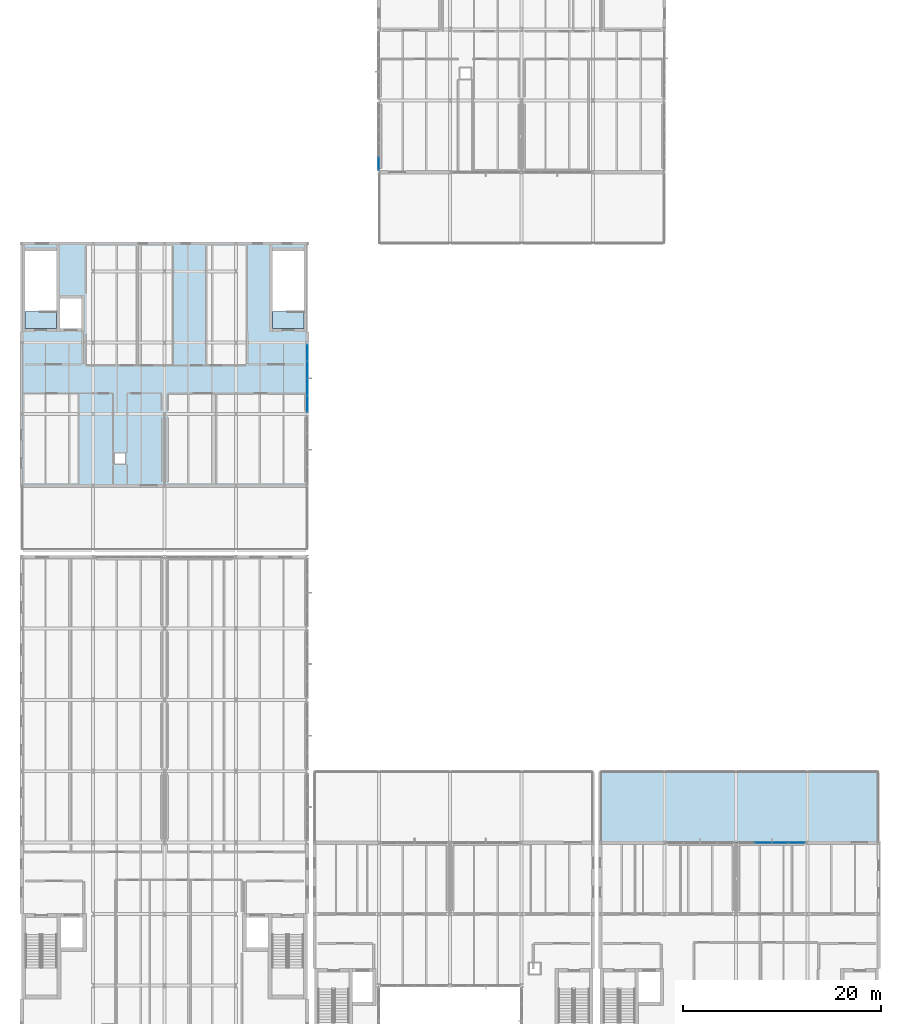
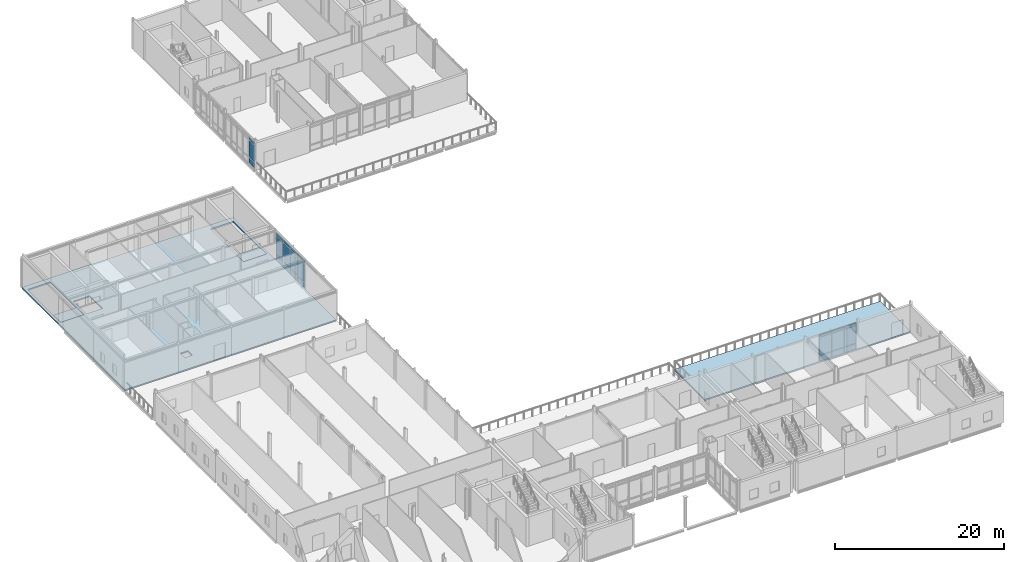
# One storey, part 26 of 53: 24 plates, 4 slabs, 3 elements without a shape of their own.
"""IFC4 building model written with IfcOpenShell, lengths in metres."""

from ifc_helpers import new_model, si_unit, direction, frame, origin, origin_2d, place, context, subcontext, project, spatial, polyline, rectangle, outline, extrude, material, layer, layer_set, type_object, element, aggregate, save


model = new_model("IFC4")

# Units and contexts
model_context = context("Model", 3, precision=1e-05, world=origin(), true_north=direction((0.0, 1.0)))
body_context = subcontext(model_context, "Body", "Model", "MODEL_VIEW")
ifc_project = project(units=[si_unit("LENGTHUNIT", "METRE"), si_unit("AREAUNIT", "SQUARE_METRE"), si_unit("VOLUMEUNIT", "CUBIC_METRE"), si_unit("PLANEANGLEUNIT", "RADIAN"), si_unit("MASSUNIT", "GRAM", prefix="KILO")], contexts=[model_context])

# Site, building, storey
site_placement = place(None, origin())
site = spatial("IfcSite", under=ifc_project, at=site_placement, CompositionType="ELEMENT")
building_placement = place(site_placement, origin())
building = spatial("IfcBuilding", under=site, at=building_placement, Name="Zarrinpeak Specialist Clinic", CompositionType="ELEMENT")
storey_placement = place(building_placement, frame((0.0, 0.0, 14.0)))
storey = spatial("IfcBuildingStorey", under=building, at=storey_placement, Name="L03", CompositionType="ELEMENT", Elevation=14.0)

# Curtain wall, plates
ifc_material_1 = material(Name="Anodised Aluminium Alloy 6063-T6", Category="aluminium")
ifc_layer_1 = layer(ifc_material_1, 0.1650390625)
ifc_layer_set_1 = layer_set([ifc_layer_1], Name="Anodised Aluminium Alloy 6063-T6")
curtain_wall_type_1 = type_object("IfcCurtainWallType", Name="CW-CLINIC", PredefinedType="NOTDEFINED", material=ifc_layer_set_1)
curtain_wall_1_placement = place(storey_placement, origin())
curtain_wall_1 = element("IfcCurtainWall", 1, at=curtain_wall_1_placement, inside=storey, type_object=curtain_wall_type_1, Name="L03 V6 Unitised Curtain Wall CW-L03-V6-149", PredefinedType="NOTDEFINED")
ifc_material_2 = material(Name="Double Low-E Insulated Glazing", Category="glass")
ifc_layer_2 = layer(ifc_material_2, 0.028076171875)
ifc_layer_set_2 = layer_set([ifc_layer_2], Name="Double Low-E Insulated Glazing")
plate_type_1 = type_object("IfcPlateType", Name="CWP-GLZ28", PredefinedType="CURTAIN_PANEL", material=ifc_layer_set_2)
plate_1_placement = place(storey_placement, frame((36.0, 90.084716796875, 0.074951171875), z_axis=(0.0, 0.0, 1.0), x_axis=(0.0, -1.0, 0.0)))
plate_1 = element("IfcPlate", 2, at=plate_1_placement, type_object=plate_type_1, Name="CW-03 panel 5.1", PredefinedType="CURTAIN_PANEL", context=body_context, shape_type="SweptSolid", body=[
    extrude(rectangle(XDim=1.24951171875, YDim=0.028076171875, at=origin_2d()), origin(), (0.0, 0.0, 1.0), 0.78759765625),
])
plate_2_placement = place(storey_placement, frame((36.0, 90.084716796875, 0.9375), z_axis=(0.0, 0.0, 1.0), x_axis=(0.0, -1.0, 0.0)))
plate_2 = element("IfcPlate", 3, at=plate_2_placement, type_object=plate_type_1, Name="CW-03 panel 5.2", PredefinedType="CURTAIN_PANEL", context=body_context, shape_type="SweptSolid", body=[
    extrude(rectangle(XDim=1.24951171875, YDim=0.028076171875, at=origin_2d()), origin(), (0.0, 0.0, 1.0), 2.4599609375),
])
plate_3_placement = place(storey_placement, frame((36.0, 90.084716796875, 3.47265625), z_axis=(0.0, 0.0, 1.0), x_axis=(0.0, -1.0, 0.0)))
plate_3 = element("IfcPlate", 4, at=plate_3_placement, type_object=plate_type_1, Name="CW-03 panel 5.3", PredefinedType="CURTAIN_PANEL", context=body_context, shape_type="SweptSolid", body=[
    extrude(rectangle(XDim=1.24951171875, YDim=0.028076171875, at=origin_2d()), origin(), (0.0, 0.0, 1.0), 0.33740234375),
])
aggregate(curtain_wall_1, [plate_1, plate_2, plate_3])

ifc_layer_3 = layer(ifc_material_1, 0.179931640625)
ifc_layer_set_3 = layer_set([ifc_layer_3], Name="Anodised Aluminium Alloy 6063-T6")
curtain_wall_type_2 = type_object("IfcCurtainWallType", Name="CW-COURT", PredefinedType="NOTDEFINED", material=ifc_layer_set_3)
curtain_wall_2_placement = place(storey_placement, origin())
curtain_wall_2 = element("IfcCurtainWall", 5, at=curtain_wall_2_placement, inside=storey, type_object=curtain_wall_type_2, Name="L03 V4 Unitised Curtain Wall CW-L03-V4-076", PredefinedType="NOTDEFINED")
ifc_material_3 = material(Name="Triple Acoustic Low-E Glazing", Category="glass")
ifc_layer_4 = layer(ifc_material_3, 0.035888671875)
ifc_layer_set_4 = layer_set([ifc_layer_4], Name="Triple Acoustic Low-E Glazing")
plate_type_2 = type_object("IfcPlateType", Name="CWP-GLZ36", PredefinedType="CURTAIN_PANEL", material=ifc_layer_set_4)
plate_4_placement = place(storey_placement, frame((78.14990234375, 21.60009765625, 0.074951171875), z_axis=(0.0, 0.0, 1.0), x_axis=(-1.0, 0.0, 0.0)))
plate_4 = element("IfcPlate", 6, at=plate_4_placement, type_object=plate_type_2, Name="CW-01 panel 1.1", PredefinedType="CURTAIN_PANEL", context=body_context, shape_type="SweptSolid", body=[
    extrude(rectangle(XDim=1.60009765625, YDim=0.035888671875, at=origin_2d()), origin(), (0.0, 0.0, 1.0), 0.78759765625),
])
plate_5_placement = place(storey_placement, frame((78.14990234375, 21.60009765625, 0.9375), z_axis=(0.0, 0.0, 1.0), x_axis=(-1.0, 0.0, 0.0)))
plate_5 = element("IfcPlate", 7, at=plate_5_placement, type_object=plate_type_2, Name="CW-01 panel 1.2", PredefinedType="CURTAIN_PANEL", context=body_context, shape_type="SweptSolid", body=[
    extrude(rectangle(XDim=1.60009765625, YDim=0.035888671875, at=origin_2d()), origin(), (0.0, 0.0, 1.0), 2.510009765625),
])
plate_6_placement = place(storey_placement, frame((78.14990234375, 21.60009765625, 3.5224609375), z_axis=(0.0, 0.0, 1.0), x_axis=(-1.0, 0.0, 0.0)))
plate_6 = element("IfcPlate", 8, at=plate_6_placement, type_object=plate_type_2, Name="CW-01 panel 1.3", PredefinedType="CURTAIN_PANEL", context=body_context, shape_type="SweptSolid", body=[
    extrude(rectangle(XDim=1.60009765625, YDim=0.035888671875, at=origin_2d()), origin(), (0.0, 0.0, 1.0), 0.33740234375),
])
plate_7_placement = place(storey_placement, frame((76.456298828125, 21.60009765625, 0.074951171875), z_axis=(0.0, 0.0, 1.0), x_axis=(-1.0, 0.0, 0.0)))
plate_7 = element("IfcPlate", 9, at=plate_7_placement, type_object=plate_type_2, Name="CW-01 panel 2.1", PredefinedType="CURTAIN_PANEL", context=body_context, shape_type="SweptSolid", body=[
    extrude(rectangle(XDim=1.637451171875, YDim=0.035888671875, at=origin_2d()), origin(), (0.0, 0.0, 1.0), 0.78759765625),
])
plate_8_placement = place(storey_placement, frame((76.456298828125, 21.60009765625, 0.9375), z_axis=(0.0, 0.0, 1.0), x_axis=(-1.0, 0.0, 0.0)))
plate_8 = element("IfcPlate", 10, at=plate_8_placement, type_object=plate_type_2, Name="CW-01 panel 2.2", PredefinedType="CURTAIN_PANEL", context=body_context, shape_type="SweptSolid", body=[
    extrude(rectangle(XDim=1.637451171875, YDim=0.035888671875, at=origin_2d()), origin(), (0.0, 0.0, 1.0), 2.510009765625),
])
plate_9_placement = place(storey_placement, frame((76.456298828125, 21.60009765625, 3.5224609375), z_axis=(0.0, 0.0, 1.0), x_axis=(-1.0, 0.0, 0.0)))
plate_9 = element("IfcPlate", 11, at=plate_9_placement, type_object=plate_type_2, Name="CW-01 panel 2.3", PredefinedType="CURTAIN_PANEL", context=body_context, shape_type="SweptSolid", body=[
    extrude(rectangle(XDim=1.637451171875, YDim=0.035888671875, at=origin_2d()), origin(), (0.0, 0.0, 1.0), 0.33740234375),
])
plate_10_placement = place(storey_placement, frame((74.74365234375, 21.60009765625, 0.074951171875), z_axis=(0.0, 0.0, 1.0), x_axis=(-1.0, 0.0, 0.0)))
plate_10 = element("IfcPlate", 12, at=plate_10_placement, type_object=plate_type_2, Name="CW-01 panel 3.1", PredefinedType="CURTAIN_PANEL", context=body_context, shape_type="SweptSolid", body=[
    extrude(rectangle(XDim=1.637451171875, YDim=0.035888671875, at=origin_2d()), origin(), (0.0, 0.0, 1.0), 0.78759765625),
])
plate_11_placement = place(storey_placement, frame((74.74365234375, 21.60009765625, 0.9375), z_axis=(0.0, 0.0, 1.0), x_axis=(-1.0, 0.0, 0.0)))
plate_11 = element("IfcPlate", 13, at=plate_11_placement, type_object=plate_type_2, Name="CW-01 panel 3.2", PredefinedType="CURTAIN_PANEL", context=body_context, shape_type="SweptSolid", body=[
    extrude(rectangle(XDim=1.637451171875, YDim=0.035888671875, at=origin_2d()), origin(), (0.0, 0.0, 1.0), 2.510009765625),
])
plate_12_placement = place(storey_placement, frame((74.74365234375, 21.60009765625, 3.5224609375), z_axis=(0.0, 0.0, 1.0), x_axis=(-1.0, 0.0, 0.0)))
plate_12 = element("IfcPlate", 14, at=plate_12_placement, type_object=plate_type_2, Name="CW-01 panel 3.3", PredefinedType="CURTAIN_PANEL", context=body_context, shape_type="SweptSolid", body=[
    extrude(rectangle(XDim=1.637451171875, YDim=0.035888671875, at=origin_2d()), origin(), (0.0, 0.0, 1.0), 0.33740234375),
])
aggregate(curtain_wall_2, [plate_4, plate_5, plate_6, plate_7, plate_8, plate_9, plate_10, plate_11, plate_12])

curtain_wall_3_placement = place(storey_placement, origin())
curtain_wall_3 = element("IfcCurtainWall", 15, at=curtain_wall_3_placement, inside=storey, type_object=curtain_wall_type_2, Name="L03 V5 Unitised Curtain Wall CW-L03-V5-128", PredefinedType="NOTDEFINED")
plate_13_placement = place(storey_placement, frame((28.800048828125, 65.827392578125, 0.074951171875), z_axis=(0.0, 0.0, 1.0), x_axis=(0.0, 1.0, 0.0)))
plate_13 = element("IfcPlate", 16, at=plate_13_placement, type_object=plate_type_2, Name="CW-01 panel 1.1", PredefinedType="CURTAIN_PANEL", context=body_context, shape_type="SweptSolid", body=[
    extrude(rectangle(XDim=1.614990234375, YDim=0.035888671875, at=origin_2d()), origin(), (0.0, 0.0, 1.0), 0.78759765625),
])
plate_14_placement = place(storey_placement, frame((28.800048828125, 65.827392578125, 0.9375), z_axis=(0.0, 0.0, 1.0), x_axis=(0.0, 1.0, 0.0)))
plate_14 = element("IfcPlate", 17, at=plate_14_placement, type_object=plate_type_2, Name="CW-01 panel 1.2", PredefinedType="CURTAIN_PANEL", context=body_context, shape_type="SweptSolid", body=[
    extrude(rectangle(XDim=1.614990234375, YDim=0.035888671875, at=origin_2d()), origin(), (0.0, 0.0, 1.0), 2.68505859375),
])
plate_15_placement = place(storey_placement, frame((28.800048828125, 65.827392578125, 3.697509765625), z_axis=(0.0, 0.0, 1.0), x_axis=(0.0, 1.0, 0.0)))
plate_15 = element("IfcPlate", 18, at=plate_15_placement, type_object=plate_type_2, Name="CW-01 panel 1.3", PredefinedType="CURTAIN_PANEL", context=body_context, shape_type="SweptSolid", body=[
    extrude(rectangle(XDim=1.614990234375, YDim=0.035888671875, at=origin_2d()), origin(), (0.0, 0.0, 1.0), 0.33740234375),
])
plate_16_placement = place(storey_placement, frame((28.800048828125, 67.5361328125, 0.074951171875), z_axis=(0.0, 0.0, 1.0), x_axis=(0.0, 1.0, 0.0)))
plate_16 = element("IfcPlate", 19, at=plate_16_placement, type_object=plate_type_2, Name="CW-01 panel 2.1", PredefinedType="CURTAIN_PANEL", context=body_context, shape_type="SweptSolid", body=[
    extrude(rectangle(XDim=1.652587890625, YDim=0.035888671875, at=origin_2d()), origin(), (0.0, 0.0, 1.0), 0.78759765625),
])
plate_17_placement = place(storey_placement, frame((28.800048828125, 67.5361328125, 0.9375), z_axis=(0.0, 0.0, 1.0), x_axis=(0.0, 1.0, 0.0)))
plate_17 = element("IfcPlate", 20, at=plate_17_placement, type_object=plate_type_2, Name="CW-01 panel 2.2", PredefinedType="CURTAIN_PANEL", context=body_context, shape_type="SweptSolid", body=[
    extrude(rectangle(XDim=1.652587890625, YDim=0.035888671875, at=origin_2d()), origin(), (0.0, 0.0, 1.0), 2.68505859375),
])
plate_18_placement = place(storey_placement, frame((28.800048828125, 67.5361328125, 3.697509765625), z_axis=(0.0, 0.0, 1.0), x_axis=(0.0, 1.0, 0.0)))
plate_18 = element("IfcPlate", 21, at=plate_18_placement, type_object=plate_type_2, Name="CW-01 panel 2.3", PredefinedType="CURTAIN_PANEL", context=body_context, shape_type="SweptSolid", body=[
    extrude(rectangle(XDim=1.652587890625, YDim=0.035888671875, at=origin_2d()), origin(), (0.0, 0.0, 1.0), 0.33740234375),
])
plate_19_placement = place(storey_placement, frame((28.800048828125, 69.263671875, 0.074951171875), z_axis=(0.0, 0.0, 1.0), x_axis=(0.0, 1.0, 0.0)))
plate_19 = element("IfcPlate", 22, at=plate_19_placement, type_object=plate_type_2, Name="CW-01 panel 3.1", PredefinedType="CURTAIN_PANEL", context=body_context, shape_type="SweptSolid", body=[
    extrude(rectangle(XDim=1.652587890625, YDim=0.035888671875, at=origin_2d()), origin(), (0.0, 0.0, 1.0), 0.78759765625),
])
plate_20_placement = place(storey_placement, frame((28.800048828125, 69.263671875, 0.9375), z_axis=(0.0, 0.0, 1.0), x_axis=(0.0, 1.0, 0.0)))
plate_20 = element("IfcPlate", 23, at=plate_20_placement, type_object=plate_type_2, Name="CW-01 panel 3.2", PredefinedType="CURTAIN_PANEL", context=body_context, shape_type="SweptSolid", body=[
    extrude(rectangle(XDim=1.652587890625, YDim=0.035888671875, at=origin_2d()), origin(), (0.0, 0.0, 1.0), 2.68505859375),
])
plate_21_placement = place(storey_placement, frame((28.800048828125, 69.263671875, 3.697509765625), z_axis=(0.0, 0.0, 1.0), x_axis=(0.0, 1.0, 0.0)))
plate_21 = element("IfcPlate", 24, at=plate_21_placement, type_object=plate_type_2, Name="CW-01 panel 3.3", PredefinedType="CURTAIN_PANEL", context=body_context, shape_type="SweptSolid", body=[
    extrude(rectangle(XDim=1.652587890625, YDim=0.035888671875, at=origin_2d()), origin(), (0.0, 0.0, 1.0), 0.33740234375),
])
plate_22_placement = place(storey_placement, frame((28.800048828125, 70.972412109375, 0.074951171875), z_axis=(0.0, 0.0, 1.0), x_axis=(0.0, 1.0, 0.0)))
plate_22 = element("IfcPlate", 25, at=plate_22_placement, type_object=plate_type_2, Name="CW-01 panel 4.1", PredefinedType="CURTAIN_PANEL", context=body_context, shape_type="SweptSolid", body=[
    extrude(rectangle(XDim=1.614990234375, YDim=0.035888671875, at=origin_2d()), origin(), (0.0, 0.0, 1.0), 0.78759765625),
])
plate_23_placement = place(storey_placement, frame((28.800048828125, 70.972412109375, 0.9375), z_axis=(0.0, 0.0, 1.0), x_axis=(0.0, 1.0, 0.0)))
plate_23 = element("IfcPlate", 26, at=plate_23_placement, type_object=plate_type_2, Name="CW-01 panel 4.2", PredefinedType="CURTAIN_PANEL", context=body_context, shape_type="SweptSolid", body=[
    extrude(rectangle(XDim=1.614990234375, YDim=0.035888671875, at=origin_2d()), origin(), (0.0, 0.0, 1.0), 2.68505859375),
])
plate_24_placement = place(storey_placement, frame((28.800048828125, 70.972412109375, 3.697509765625), z_axis=(0.0, 0.0, 1.0), x_axis=(0.0, 1.0, 0.0)))
plate_24 = element("IfcPlate", 27, at=plate_24_placement, type_object=plate_type_2, Name="CW-01 panel 4.3", PredefinedType="CURTAIN_PANEL", context=body_context, shape_type="SweptSolid", body=[
    extrude(rectangle(XDim=1.614990234375, YDim=0.035888671875, at=origin_2d()), origin(), (0.0, 0.0, 1.0), 0.33740234375),
])
aggregate(curtain_wall_3, [plate_13, plate_14, plate_15, plate_16, plate_17, plate_18, plate_19, plate_20, plate_21, plate_22, plate_23, plate_24])

# Slabs
ifc_material_4 = material(Name="Concrete C35/45", Category="concrete")
ifc_layer_5 = layer(ifc_material_4, 0.199951171875)
ifc_layer_set_5 = layer_set([ifc_layer_5], Name="Concrete C35/45")
slab_type_1 = type_object("IfcSlabType", Name="SL-FLR200", PredefinedType="FLOOR", material=ifc_layer_set_5)
slab_1_placement = place(storey_placement, frame((0.0, 0.0, -0.199951171875)))
element("IfcSlab", 28, at=slab_1_placement, inside=storey, type_object=slab_type_1, Name="L03 Suspended Clinical Floor Slab V5", PredefinedType="FLOOR", context=body_context, shape_type="SweptSolid", body=[
    extrude(outline(polyline([(0.0, 57.60009765625), (28.800048828125, 57.60009765625), (28.800048828125, 82.0), (0.0, 82.0), (0.0, 57.60009765625)]), holes=[polyline([(0.35009765625, 73.449951171875), (3.5, 73.449951171875), (3.5, 81.25), (0.35009765625, 81.25), (0.35009765625, 73.449951171875)]), polyline([(3.85009765625, 73.449951171875), (6.050048828125, 73.449951171875), (6.050048828125, 76.449951171875), (3.85009765625, 76.449951171875), (3.85009765625, 73.449951171875)]), polyline([(25.300048828125, 73.449951171875), (28.449951171875, 73.449951171875), (28.449951171875, 81.25), (25.300048828125, 81.25), (25.300048828125, 73.449951171875)]), polyline([(9.39990234375, 59.800048828125), (10.449951171875, 59.800048828125), (10.449951171875, 60.85009765625), (9.39990234375, 60.85009765625), (9.39990234375, 59.800048828125)])]), origin(), (0.0, 0.0, 1.0), 0.199951171875),
])
slab_2_placement = place(storey_placement, frame((0.0, 0.0, -0.199951171875)))
element("IfcSlab", 29, at=slab_2_placement, inside=storey, type_object=slab_type_1, Name="L03 Core C09 Stairwell Floor Landing Slab", PredefinedType="FLOOR", context=body_context, shape_type="SweptSolid", body=[
    extrude(outline(polyline([(0.35009765625, 73.449951171875), (3.5, 73.449951171875), (3.5, 75.14990234375), (0.35009765625, 75.14990234375), (0.35009765625, 73.449951171875)])), origin(), (0.0, 0.0, 1.0), 0.199951171875),
])
slab_3_placement = place(storey_placement, frame((0.0, 0.0, -0.199951171875)))
element("IfcSlab", 30, at=slab_3_placement, inside=storey, type_object=slab_type_1, Name="L03 Core C10 Stairwell Floor Landing Slab", PredefinedType="FLOOR", context=body_context, shape_type="SweptSolid", body=[
    extrude(outline(polyline([(25.300048828125, 73.449951171875), (28.449951171875, 73.449951171875), (28.449951171875, 75.14990234375), (25.300048828125, 75.14990234375), (25.300048828125, 73.449951171875)])), origin(), (0.0, 0.0, 1.0), 0.199951171875),
])
ifc_layer_6 = layer(ifc_material_4, 0.195068359375)
ifc_layer_set_6 = layer_set([ifc_layer_6], Name="Concrete C35/45")
slab_type_2 = type_object("IfcSlabType", Name="SL-TER195", PredefinedType="FLOOR", material=ifc_layer_set_6)
slab_4_placement = place(storey_placement, frame((0.0, 0.0, -0.195068359375)))
element("IfcSlab", 31, at=slab_4_placement, inside=storey, type_object=slab_type_2, Name="L03 Healing Roof Terrace Slab V4", PredefinedType="FLOOR", context=body_context, shape_type="SweptSolid", body=[
    extrude(outline(polyline([(58.320068359375, 21.60009765625), (86.39990234375, 21.60009765625), (86.39990234375, 28.800048828125), (58.320068359375, 28.800048828125), (58.320068359375, 21.60009765625)])), origin(), (0.0, 0.0, 1.0), 0.195068359375),
])

save(model, "model.ifc")
